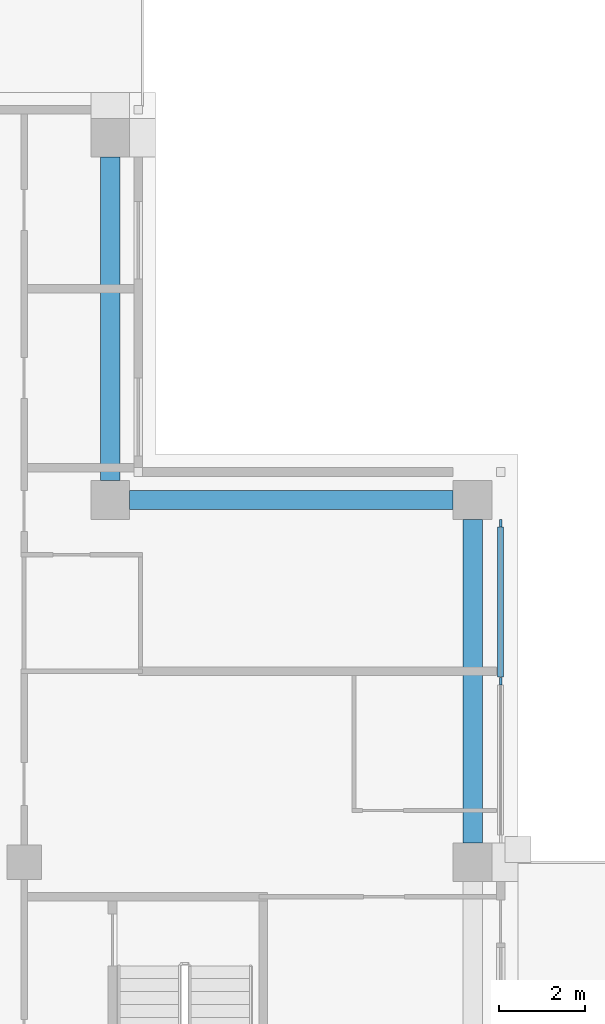
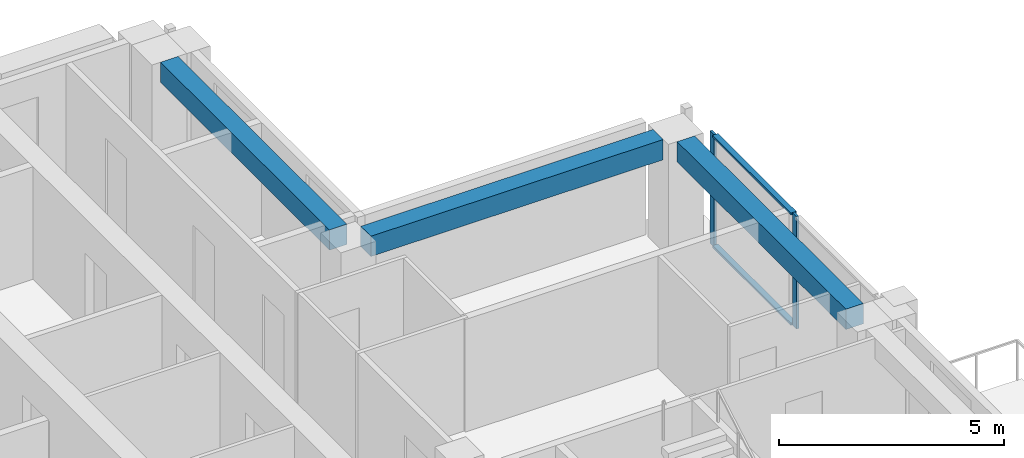
# One storey, part 6 of 17: 4 members, 3 beams, 1 element without a shape of its own.
"""IFC4 building model written with IfcOpenShell, lengths in metres."""

from ifc_helpers import new_model, si_unit, direction, frame, origin, origin_2d, place, context, subcontext, project, spatial, rectangle, extrude, material, material_profile, profile_set, type_object, element, aggregate, save


model = new_model("IFC4")

# Units and contexts
model_context = context("Model", 3, precision=1e-05, world=origin(), true_north=direction((0.0, 1.0)))
body_context = subcontext(model_context, "Body", "Model", "MODEL_VIEW")
ifc_project = project(units=[si_unit("LENGTHUNIT", "METRE"), si_unit("AREAUNIT", "SQUARE_METRE"), si_unit("VOLUMEUNIT", "CUBIC_METRE"), si_unit("PLANEANGLEUNIT", "RADIAN"), si_unit("MASSUNIT", "GRAM", prefix="KILO")], contexts=[model_context])

# Site, building, storey
site_placement = place(None, origin())
site = spatial("IfcSite", under=ifc_project, at=site_placement, CompositionType="ELEMENT")
building_placement = place(site_placement, origin())
building = spatial("IfcBuilding", under=site, at=building_placement, Name="Vermilion Ogive Tower", CompositionType="ELEMENT")
storey_placement = place(building_placement, frame((0.0, 0.0, 244.14990234375)))
storey = spatial("IfcBuildingStorey", under=building, at=storey_placement, Name="L64", CompositionType="ELEMENT", Elevation=244.14990234375)

# Curtain wall, members
ifc_material_1 = material(Name="Low-iron laminated glazing in aluminium frame", Category="aluminium")
curtain_wall_type = type_object("IfcCurtainWallType", Name="Curtain wall CW7", PredefinedType="NOTDEFINED", material=ifc_material_1)
curtain_wall_placement = place(storey_placement, origin())
curtain_wall = element("IfcCurtainWall", 1, at=curtain_wall_placement, inside=storey, type_object=curtain_wall_type, Name="Glazed skin E3", PredefinedType="NOTDEFINED")
ifc_material_2 = material(Name="Aluminium mullion", Category="aluminium")
ifc_material_profile_1 = material_profile(ifc_material_2, rectangle(XDim=0.06005859375, YDim=0.179931640625, at=origin_2d()), Name="AL 60x180")
ifc_profile_set_1 = profile_set([ifc_material_profile_1], Name="Aluminium mullion")
member_type_1 = type_object("IfcMemberType", Name="CW7 mullion 60x180", PredefinedType="MULLION", material=ifc_profile_set_1)
member_1_placement = place(storey_placement, frame((25.85009765625, 8.39990234375, 0.0), z_axis=(0.0, 0.0, 1.0), x_axis=(-1.0, 0.0, 0.0)))
member_1 = element("IfcMember", 2, at=member_1_placement, type_object=member_type_1, Name="CW7-E3 mullion 2", PredefinedType="MULLION", context=body_context, shape_type="SweptSolid", body=[
    extrude(rectangle(XDim=0.06005859375, YDim=0.179931640625, at=origin_2d()), origin(), (0.0, 0.0, 1.0), 3.050048828125),
])
member_2_placement = place(storey_placement, frame((25.85009765625, 12.06005859375, 0.0), z_axis=(0.0, 0.0, 1.0), x_axis=(-1.0, 0.0, 0.0)))
member_2 = element("IfcMember", 3, at=member_2_placement, type_object=member_type_1, Name="CW7-E3 mullion 3", PredefinedType="MULLION", context=body_context, shape_type="SweptSolid", body=[
    extrude(rectangle(XDim=0.06005859375, YDim=0.179931640625, at=origin_2d()), origin(), (0.0, 0.0, 1.0), 3.050048828125),
])
ifc_material_3 = material(Name="Aluminium transom", Category="aluminium")
ifc_material_profile_2 = material_profile(ifc_material_3, rectangle(XDim=0.139892578125, YDim=0.06005859375, at=origin_2d()), Name="AL 60x140")
ifc_profile_set_2 = profile_set([ifc_material_profile_2], Name="Aluminium transom")
member_type_2 = type_object("IfcMemberType", Name="CW7 transom 60x140", PredefinedType="USERDEFINED", material=ifc_profile_set_2)
member_3_placement = place(storey_placement, frame((25.85009765625, 8.489990234375, 0.030029296875), z_axis=(0.0, 1.0, 0.0), x_axis=(-1.0, 0.0, 0.0)))
member_3 = element("IfcMember", 4, at=member_3_placement, type_object=member_type_2, Name="CW7-E3 transom 2.1", ObjectType="TRANSOM", PredefinedType="USERDEFINED", context=body_context, shape_type="SweptSolid", body=[
    extrude(rectangle(XDim=0.139892578125, YDim=0.06005859375, at=origin_2d()), origin(), (0.0, 0.0, 1.0), 3.47998046875),
])
member_4_placement = place(storey_placement, frame((25.85009765625, 8.489990234375, 3.02001953125), z_axis=(0.0, 1.0, 0.0), x_axis=(-1.0, 0.0, 0.0)))
member_4 = element("IfcMember", 5, at=member_4_placement, type_object=member_type_2, Name="CW7-E3 transom 2.2", ObjectType="TRANSOM", PredefinedType="USERDEFINED", context=body_context, shape_type="SweptSolid", body=[
    extrude(rectangle(XDim=0.139892578125, YDim=0.06005859375, at=origin_2d()), origin(), (0.0, 0.0, 1.0), 3.47998046875),
])
aggregate(curtain_wall, [member_1, member_2, member_3, member_4])

# Beams
ifc_material_4 = material(Name="Concrete B45", Category="concrete")
ifc_material_profile_3 = material_profile(ifc_material_4, rectangle(XDim=0.449951171875, YDim=0.550048828125, at=origin_2d()), Name="450 x 550")
ifc_profile_set_3 = profile_set([ifc_material_profile_3], Name="Concrete B45")
beam_type = type_object("IfcBeamType", Name="Edge beam 450 x 550 B45", PredefinedType="BEAM", material=ifc_profile_set_3)
for number, where, z_axis, x_axis, name in (
    (6, (25.199951171875, 4.64990234375, 2.775146484375), (0.0, 1.0, 0.0), (-1.0, 0.0, 0.0), "L64-EB-9"),
    (7, (24.75, 12.60009765625, 2.775146484375), (-1.0, 0.0, 0.0), (0.0, -1.0, 0.0), "L64-EB-10"),
    (8, (16.800048828125, 13.050048828125, 2.775146484375), (0.0, 1.0, 0.0), (-1.0, 0.0, 0.0), "L64-EB-11"),
):
    element("IfcBeam", number, at=place(storey_placement, frame(where, z_axis=z_axis, x_axis=x_axis)), inside=storey, type_object=beam_type, Name=name, PredefinedType="BEAM", context=body_context, shape_type="SweptSolid", body=[
        extrude(rectangle(XDim=0.449951171875, YDim=0.550048828125, at=origin_2d()), origin(), (0.0, 0.0, 1.0), 7.5),
    ])

save(model, "model.ifc")
